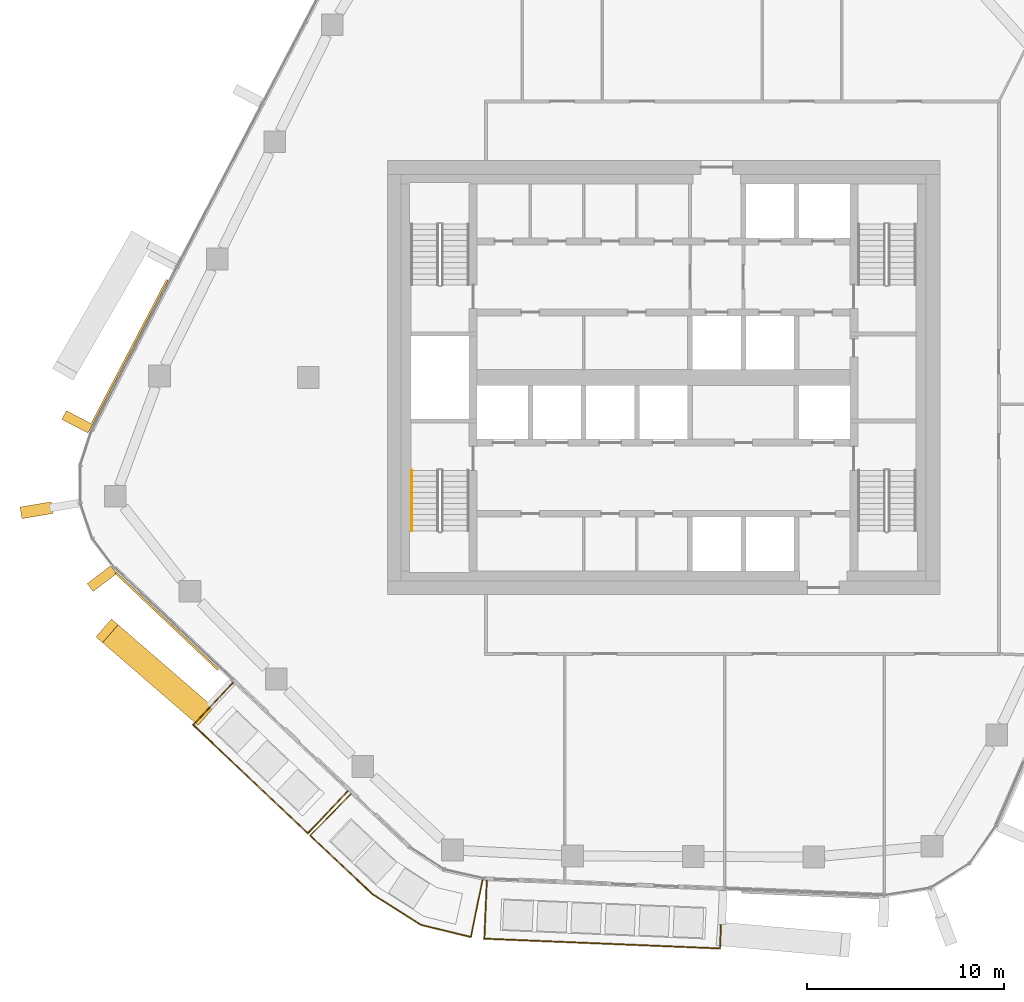
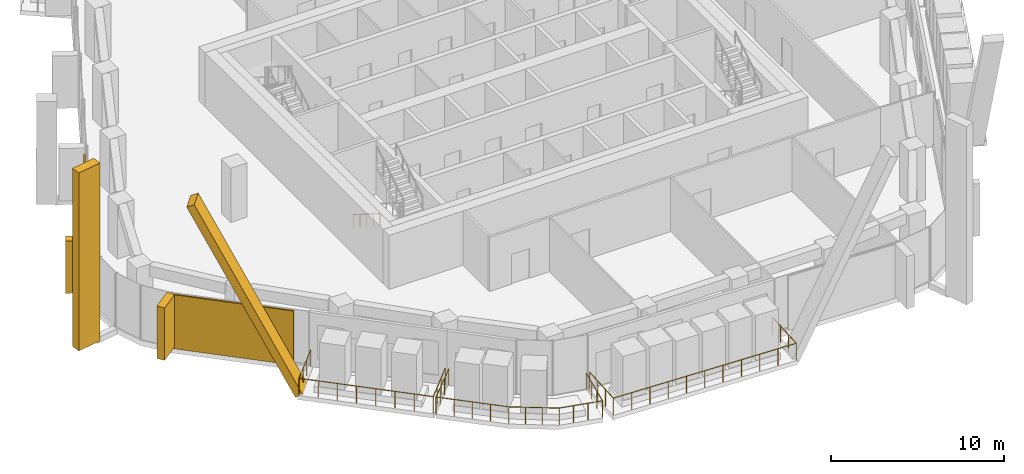
# One storey, part 15 of 20: 6 coverings, 4 railings, 3 elements without a shape of their own.
"""IFC4 building model written with IfcOpenShell, lengths in metres."""

import ifcopenshell
import ifcopenshell.guid

model = None  # the IFC model being written
_history = None  # IfcOwnerHistory: only IFC2X3 demands one
_inside = {}  # id of a spatial element -> (the spatial element, [elements in it])
_under = {}  # id of a project, library or spatial element -> (it, [spatial elements below it])
_declared = {}  # id of a project -> (the project, [libraries it declares])
_typed = {}  # id of a type object -> (the type object, [elements of that type])
_made_of = {}  # id of a material, layer set ... -> (it, [elements and type objects made of it])


def new_model(schema):
    """Start an empty IFC model of exactly this schema.

    Asked for "IFC4X3", IfcOpenShell would pick the latest addendum, in which some entities
    have other attributes; the version numbers below select the first issue.
    IFC2X3 requires an IfcOwnerHistory on every rooted entity: one is made here for all.
    """
    global model, _history
    if schema == "IFC4X3":
        model = ifcopenshell.file(schema_version=(4, 3, 0, 0))
    else:
        model = ifcopenshell.file(schema=schema)
    _inside.clear()
    _under.clear()
    _declared.clear()
    _typed.clear()
    _made_of.clear()
    _history = None
    if model.schema == "IFC2X3":
        org = make("IfcOrganization", Name="unknown")
        user = make(
            "IfcPersonAndOrganization",
            ThePerson=make("IfcPerson", FamilyName="unknown"),
            TheOrganization=org,
        )
        app = make(
            "IfcApplication",
            ApplicationDeveloper=org,
            Version="unknown",
            ApplicationFullName="unknown",
            ApplicationIdentifier="unknown",
        )
        _history = make(
            "IfcOwnerHistory",
            OwningUser=user,
            OwningApplication=app,
            ChangeAction="ADDED",
            CreationDate=0,
        )
    return model


def make(cls, **values):
    """One entity of the class cls with the attributes given. An attribute that is None is left unset."""
    return model.create_entity(
        cls, **{name: value for name, value in values.items() if value is not None}
    )


def rooted(cls, **values):
    """An entity with a GlobalId (a new one), such as an element, a storey or a relation."""
    return make(cls, GlobalId=ifcopenshell.guid.new(), OwnerHistory=_history, **values)


def si_unit(unit_type, name, prefix=None):
    """IfcSIUnit, for example si_unit("LENGTHUNIT", "METRE", prefix="MILLI")."""
    return make("IfcSIUnit", UnitType=unit_type, Prefix=prefix, Name=name)


def assignment(units):
    """IfcUnitAssignment: the units of a project."""
    return None if units is None else make("IfcUnitAssignment", Units=units)


def point(xyz):
    """IfcCartesianPoint."""
    return None if xyz is None else make("IfcCartesianPoint", Coordinates=xyz)


def direction(xyz):
    """IfcDirection."""
    return None if xyz is None else make("IfcDirection", DirectionRatios=xyz)


def frame(location, z_axis=None, x_axis=None):
    """IfcAxis2Placement3D, a coordinate frame: its origin and axes. An axis left out is left unset."""
    return make(
        "IfcAxis2Placement3D",
        Location=point(location),
        Axis=direction(z_axis),
        RefDirection=direction(x_axis),
    )


def frame_2d(location, x_axis=None):
    """IfcAxis2Placement2D, a coordinate frame in the plane: its origin and x axis."""
    return make(
        "IfcAxis2Placement2D", Location=point(location), RefDirection=direction(x_axis)
    )


def origin():
    """The frame at (0, 0, 0) with its axes left unset."""
    return frame((0.0, 0.0, 0.0))


def origin_2d():
    """The frame at (0, 0) in the plane with its x axis left unset."""
    return frame_2d((0.0, 0.0))


def place(relative_to, where):
    """IfcLocalPlacement: puts the frame where relative to a parent placement (None: the world)."""
    return make(
        "IfcLocalPlacement", PlacementRelTo=relative_to, RelativePlacement=where
    )


def context(
    kind, dimensions, precision=None, world=None, true_north=None, identifier=None
):
    """IfcGeometricRepresentationContext, for example the 3D "Model" context."""
    return make(
        "IfcGeometricRepresentationContext",
        ContextIdentifier=identifier,
        ContextType=kind,
        CoordinateSpaceDimension=dimensions,
        Precision=precision,
        WorldCoordinateSystem=world,
        TrueNorth=true_north,
    )


def subcontext(parent, identifier, kind, view, scale=None):
    """IfcGeometricRepresentationSubContext, for example "Body" below "Model"."""
    return make(
        "IfcGeometricRepresentationSubContext",
        ContextIdentifier=identifier,
        ContextType=kind,
        ParentContext=parent,
        TargetScale=scale,
        TargetView=view,
    )


def project(units=None, contexts=None):
    """IfcProject with its units and contexts."""
    return rooted(
        "IfcProject",
        Name="project",
        RepresentationContexts=contexts,
        UnitsInContext=assignment(units),
    )


def spatial(cls, under=None, at=None, **own):
    """A site, building, storey or space (cls), placed at a placement, below another one or the project."""
    s = rooted(cls, ObjectPlacement=at, **own)
    if under is not None:
        _under.setdefault(under.id(), (under, []))[1].append(s)
    return s


def profile(cls, at=None, kind="AREA", **sizes):
    """A parametric profile (cls). Its sizes go by their IFC names, for example OverallWidth=200.0."""
    return make(cls, ProfileType=kind, Position=at, **sizes)


def rectangle(**sizes):
    """IfcRectangleProfileDef."""
    return profile("IfcRectangleProfileDef", **sizes)


def circle(**sizes):
    """IfcCircleProfileDef."""
    return profile("IfcCircleProfileDef", **sizes)


def extrude(swept, where, along, depth):
    """IfcExtrudedAreaSolid: the profile swept, set in the frame where, extruded along a direction by depth."""
    return make(
        "IfcExtrudedAreaSolid",
        SweptArea=swept,
        Position=where,
        ExtrudedDirection=direction(along),
        Depth=depth,
    )


def shape(context_of_items, identifier, shape_type, items):
    """IfcShapeRepresentation: the items that make up one representation, for example the "Body"."""
    return make(
        "IfcShapeRepresentation",
        ContextOfItems=context_of_items,
        RepresentationIdentifier=identifier,
        RepresentationType=shape_type,
        Items=items,
    )


def material(Name=None, Category=None):
    """IfcMaterial."""
    return make("IfcMaterial", Name=Name, Category=Category)


def layer(
    of_material, thickness, ventilated=None, Name=None, Category=None, Priority=None
):
    """IfcMaterialLayer: one layer of a wall or slab, of a material (None: an air gap)."""
    return make(
        "IfcMaterialLayer",
        Material=of_material,
        LayerThickness=thickness,
        IsVentilated=ventilated,
        Name=Name,
        Category=Category,
        Priority=Priority,
    )


def layer_set(layers, Name=None):
    """IfcMaterialLayerSet."""
    return make("IfcMaterialLayerSet", MaterialLayers=layers, LayerSetName=Name)


def material_profile(
    of_material, cross_section, Name=None, Category=None, Priority=None
):
    """IfcMaterialProfile: a cross section and its material."""
    return make(
        "IfcMaterialProfile",
        Name=Name,
        Material=of_material,
        Profile=cross_section,
        Priority=Priority,
        Category=Category,
    )


def profile_set(profiles, Name=None, composite=None):
    """IfcMaterialProfileSet."""
    return make(
        "IfcMaterialProfileSet",
        Name=Name,
        MaterialProfiles=profiles,
        CompositeProfile=composite,
    )


def made_of(thing, what):
    """Note that an element or type object is made of a material, layer set ...; save() writes the relation."""
    if what is not None:
        _made_of.setdefault(what.id(), (what, []))[1].append(thing)
    return thing


def type_object(cls, material=None, **own):
    """A type object (cls), such as IfcWallType, which elements share."""
    return made_of(rooted(cls, **own), material)


def element(
    cls,
    number,
    at=None,
    inside=None,
    cuts=None,
    type_object=None,
    material=None,
    context=None,
    identifier="Body",
    shape_type=None,
    held_by="IfcProductDefinitionShape",
    body=None,
    shapes=None,
    **own,
):
    """One element of the class cls, such as IfcWall. Its Tag is "e" and its number.

    at: its placement. inside: the storey or other place that contains it. cuts: it is an
    opening in that element (IfcRelVoidsElement). A single representation is given by context,
    identifier, shape_type and body (its items); several are given by shapes. held_by: the class
    of the entity that holds the representations. save() writes the other relations.
    """
    e = rooted(cls, Tag="e%d" % number, ObjectPlacement=at, **own)
    if body is not None:
        shapes = [shape(context, identifier, shape_type, body)]
    if shapes is not None:
        e.Representation = make(held_by, Representations=shapes)
    if inside is not None:
        _inside.setdefault(inside.id(), (inside, []))[1].append(e)
    if cuts is not None:
        rooted(
            "IfcRelVoidsElement", RelatingBuildingElement=cuts, RelatedOpeningElement=e
        )
    if type_object is not None:
        _typed.setdefault(type_object.id(), (type_object, []))[1].append(e)
    return made_of(e, material)


def aggregate(whole, parts):
    """IfcRelAggregates: a whole, such as a stair, and the parts it consists of."""
    return rooted("IfcRelAggregates", RelatingObject=whole, RelatedObjects=parts)


def save(model, path):
    """Write the relations noted so far, then the file.

    IfcRelAggregates (storeys below a building ...), IfcRelContainedInSpatialStructure (elements
    in a storey), IfcRelDefinesByType, IfcRelAssociatesMaterial and IfcRelDeclares: one each for
    every whole, place, type object, material and project.
    """
    for whole, parts in _under.values():
        aggregate(whole, parts)
    for where, things in _inside.values():
        rooted(
            "IfcRelContainedInSpatialStructure",
            RelatedElements=things,
            RelatingStructure=where,
        )
    for kind, things in _typed.values():
        rooted("IfcRelDefinesByType", RelatedObjects=things, RelatingType=kind)
    for what, things in _made_of.values():
        rooted("IfcRelAssociatesMaterial", RelatedObjects=things, RelatingMaterial=what)
    for by, libraries in _declared.values():
        rooted("IfcRelDeclares", RelatingContext=by, RelatedDefinitions=libraries)
    model.write(path)


model = new_model("IFC4")

# Units and contexts
model_context = context("Model", 3, precision=1e-05, world=origin(), true_north=direction((0.0, 1.0)))
body_context = subcontext(model_context, "Body", "Model", "MODEL_VIEW")
ifc_project = project(units=[si_unit("LENGTHUNIT", "METRE"), si_unit("AREAUNIT", "SQUARE_METRE"), si_unit("VOLUMEUNIT", "CUBIC_METRE"), si_unit("PLANEANGLEUNIT", "RADIAN"), si_unit("MASSUNIT", "GRAM", prefix="KILO")], contexts=[model_context])

# Site, building, storey
site_placement = place(None, origin())
site = spatial("IfcSite", under=ifc_project, at=site_placement, CompositionType="ELEMENT")
building_placement = place(site_placement, origin())
building = spatial("IfcBuilding", under=site, at=building_placement, Name="Dongbaek Canopy Tower", CompositionType="ELEMENT")
storey_placement = place(building_placement, frame((0.0, 0.0, 241.199951171875)))
storey = spatial("IfcBuildingStorey", under=building, at=storey_placement, Name="L50", CompositionType="ELEMENT", Elevation=241.199951171875)

# Railings
ifc_material_1 = material(Name="Stainless steel", Category="steel")
railing_type_1 = type_object("IfcRailingType", Name="Balcony balustrade 1200", PredefinedType="BALUSTRADE", material=ifc_material_1)
railing_1_placement = place(storey_placement, frame((-21.811767578125, -15.463623046875, 0.0)))
element("IfcRailing", 1, at=railing_1_placement, inside=storey, type_object=railing_type_1, Name="Balcony guard L50 3", PredefinedType="BALUSTRADE", context=body_context, shape_type="SweptSolid", body=[
    extrude(circle(Radius=0.02392578125, at=origin_2d()), frame((0.0, 0.0, 1.17578125), z_axis=(-0.687323027636, -0.726351881447, 0.0), x_axis=(0.726351881447, -0.687323027636, 0.0)), (0.0, 0.0, 1.0), 2.93994140625),
    extrude(circle(Radius=0.02392578125, at=origin_2d()), frame((-2.020751953125, -2.135498046875, 1.17578125), z_axis=(0.72637941754, -0.687293926769, 0.0), x_axis=(0.687293926769, 0.72637941754, 0.0)), (0.0, 0.0, 1.0), 7.995361328125),
    extrude(circle(Radius=0.02392578125, at=origin_2d()), frame((3.786865234375, -7.630615234375, 1.17578125), z_axis=(0.687323027636, 0.726351881447, 0.0), x_axis=(-0.726351881447, 0.687323027636, 0.0)), (0.0, 0.0, 1.0), 2.93994140625),
    extrude(circle(Radius=0.02099609375, at=origin_2d()), origin(), (0.0, 0.0, 1.0), 1.15185546875),
    extrude(circle(Radius=0.02099609375, at=origin_2d()), frame((-0.673583984375, -0.7119140625, 0.0)), (0.0, 0.0, 1.0), 1.15185546875),
    extrude(circle(Radius=0.02099609375, at=origin_2d()), frame((-1.34716796875, -1.423583984375, 0.0)), (0.0, 0.0, 1.0), 1.15185546875),
    extrude(circle(Radius=0.02099609375, at=origin_2d()), frame((-2.020751953125, -2.135498046875, 0.0)), (0.0, 0.0, 1.0), 1.15185546875),
    extrude(circle(Radius=0.02099609375, at=origin_2d()), frame((-1.191162109375, -2.92041015625, 0.0)), (0.0, 0.0, 1.0), 1.15185546875),
    extrude(circle(Radius=0.02099609375, at=origin_2d()), frame((-0.361328125, -3.70556640625, 0.0)), (0.0, 0.0, 1.0), 1.15185546875),
    extrude(circle(Radius=0.02099609375, at=origin_2d()), frame((0.46826171875, -4.490478515625, 0.0)), (0.0, 0.0, 1.0), 1.15185546875),
    extrude(circle(Radius=0.02099609375, at=origin_2d()), frame((1.2978515625, -5.275634765625, 0.0)), (0.0, 0.0, 1.0), 1.15185546875),
    extrude(circle(Radius=0.02099609375, at=origin_2d()), frame((2.12744140625, -6.060546875, 0.0)), (0.0, 0.0, 1.0), 1.15185546875),
    extrude(circle(Radius=0.02099609375, at=origin_2d()), frame((2.957275390625, -6.845703125, 0.0)), (0.0, 0.0, 1.0), 1.15185546875),
    extrude(circle(Radius=0.02099609375, at=origin_2d()), frame((3.786865234375, -7.630615234375, 0.0)), (0.0, 0.0, 1.0), 1.15185546875),
    extrude(circle(Radius=0.02099609375, at=origin_2d()), frame((4.46044921875, -6.918701171875, 0.0)), (0.0, 0.0, 1.0), 1.15185546875),
    extrude(circle(Radius=0.02099609375, at=origin_2d()), frame((5.134033203125, -6.20703125, 0.0)), (0.0, 0.0, 1.0), 1.15185546875),
    extrude(circle(Radius=0.02099609375, at=origin_2d()), frame((5.8076171875, -5.4951171875, 0.0)), (0.0, 0.0, 1.0), 1.15185546875),
])
railing_2_placement = place(storey_placement, frame((-15.84423828125, -21.110107421875, 0.0)))
element("IfcRailing", 2, at=railing_2_placement, inside=storey, type_object=railing_type_1, Name="Balcony guard L50 8", PredefinedType="BALUSTRADE", context=body_context, shape_type="SweptSolid", body=[
    extrude(circle(Radius=0.02392578125, at=origin_2d()), frame((0.0, 0.0, 1.17578125), z_axis=(-0.702024373564, -0.712152918215, 0.0), x_axis=(0.712152918215, -0.702024373564, 0.0)), (0.0, 0.0, 1.0), 2.940673828125),
    extrude(circle(Radius=0.02392578125, at=origin_2d()), frame((-2.064453125, -2.09423828125, 1.17578125), z_axis=(0.728253075317, -0.68530829434, 0.0), x_axis=(0.68530829434, 0.728253075317, 0.0)), (0.0, 0.0, 1.0), 4.320556640625),
    extrude(circle(Radius=0.02392578125, at=origin_2d()), frame((1.08203125, -5.05517578125, 1.17578125), z_axis=(0.843678676666, -0.536848480056, 0.0), x_axis=(0.536848480056, 0.843678676666, 0.0)), (0.0, 0.0, 1.0), 2.924072265625),
    extrude(circle(Radius=0.02392578125, at=origin_2d()), frame((3.549072265625, -6.625, 1.17578125), z_axis=(0.971694868855, -0.236239458687, 0.0), x_axis=(0.236239458687, 0.971694868855, 0.0)), (0.0, 0.0, 1.0), 2.611572265625),
    extrude(circle(Radius=0.02392578125, at=origin_2d()), frame((6.086669921875, -7.241943359375, 1.17578125), z_axis=(0.198845630511, 0.980030823611, 0.0), x_axis=(-0.980030823611, 0.198845630511, 0.0)), (0.0, 0.0, 1.0), 2.940673828125),
    extrude(circle(Radius=0.02099609375, at=origin_2d()), origin(), (0.0, 0.0, 1.0), 1.15185546875),
    extrude(circle(Radius=0.02099609375, at=origin_2d()), frame((-0.688232421875, -0.697998046875, 0.0)), (0.0, 0.0, 1.0), 1.15185546875),
    extrude(circle(Radius=0.02099609375, at=origin_2d()), frame((-1.376220703125, -1.396240234375, 0.0)), (0.0, 0.0, 1.0), 1.15185546875),
    extrude(circle(Radius=0.02099609375, at=origin_2d()), frame((-2.064453125, -2.09423828125, 0.0)), (0.0, 0.0, 1.0), 1.15185546875),
    extrude(circle(Radius=0.02099609375, at=origin_2d()), frame((-1.27783203125, -2.83447265625, 0.0)), (0.0, 0.0, 1.0), 1.15185546875),
    extrude(circle(Radius=0.02099609375, at=origin_2d()), frame((-0.4912109375, -3.57470703125, 0.0)), (0.0, 0.0, 1.0), 1.15185546875),
    extrude(circle(Radius=0.02099609375, at=origin_2d()), frame((0.29541015625, -4.31494140625, 0.0)), (0.0, 0.0, 1.0), 1.15185546875),
    extrude(circle(Radius=0.02099609375, at=origin_2d()), frame((1.08203125, -5.05517578125, 0.0)), (0.0, 0.0, 1.0), 1.15185546875),
    extrude(circle(Radius=0.02099609375, at=origin_2d()), frame((1.904296875, -5.578369140625, 0.0)), (0.0, 0.0, 1.0), 1.15185546875),
    extrude(circle(Radius=0.02099609375, at=origin_2d()), frame((2.726806640625, -6.101806640625, 0.0)), (0.0, 0.0, 1.0), 1.15185546875),
    extrude(circle(Radius=0.02099609375, at=origin_2d()), frame((3.549072265625, -6.625, 0.0)), (0.0, 0.0, 1.0), 1.15185546875),
    extrude(circle(Radius=0.02099609375, at=origin_2d()), frame((4.39501953125, -6.83056640625, 0.0)), (0.0, 0.0, 1.0), 1.15185546875),
    extrude(circle(Radius=0.02099609375, at=origin_2d()), frame((5.24072265625, -7.036376953125, 0.0)), (0.0, 0.0, 1.0), 1.15185546875),
    extrude(circle(Radius=0.02099609375, at=origin_2d()), frame((6.086669921875, -7.241943359375, 0.0)), (0.0, 0.0, 1.0), 1.15185546875),
    extrude(circle(Radius=0.02099609375, at=origin_2d()), frame((6.281494140625, -6.28125, 0.0)), (0.0, 0.0, 1.0), 1.15185546875),
    extrude(circle(Radius=0.02099609375, at=origin_2d()), frame((6.4765625, -5.32080078125, 0.0)), (0.0, 0.0, 1.0), 1.15185546875),
    extrude(circle(Radius=0.02099609375, at=origin_2d()), frame((6.67138671875, -4.360107421875, 0.0)), (0.0, 0.0, 1.0), 1.15185546875),
])
railing_3_placement = place(storey_placement, frame((-8.95556640625, -25.498779296875, 0.0)))
element("IfcRailing", 3, at=railing_3_placement, inside=storey, type_object=railing_type_1, Name="Balcony guard L50 4", PredefinedType="BALUSTRADE", context=body_context, shape_type="SweptSolid", body=[
    extrude(circle(Radius=0.02392578125, at=origin_2d()), frame((0.0, 0.0, 1.17578125), z_axis=(-0.041520016303, -0.999137672319, 0.0), x_axis=(0.999137672319, -0.041520016303, 0.0)), (0.0, 0.0, 1.0), 2.93994140625),
    extrude(circle(Radius=0.02392578125, at=origin_2d()), frame((-0.1220703125, -2.9375, 1.17578125), z_axis=(0.999138729175, -0.041494576291, 0.0), x_axis=(0.041494576291, 0.999138729175, 0.0)), (0.0, 0.0, 1.0), 11.94970703125),
    extrude(circle(Radius=0.02392578125, at=origin_2d()), frame((11.8173828125, -3.433349609375, 1.17578125), z_axis=(0.041520016303, 0.999137672319, 0.0), x_axis=(-0.999137672319, 0.041520016303, 0.0)), (0.0, 0.0, 1.0), 2.93994140625),
    extrude(circle(Radius=0.02099609375, at=origin_2d()), origin(), (0.0, 0.0, 1.0), 1.15185546875),
    extrude(circle(Radius=0.02099609375, at=origin_2d()), frame((-0.040771484375, -0.979248046875, 0.0)), (0.0, 0.0, 1.0), 1.15185546875),
    extrude(circle(Radius=0.02099609375, at=origin_2d()), frame((-0.081298828125, -1.958251953125, 0.0)), (0.0, 0.0, 1.0), 1.15185546875),
    extrude(circle(Radius=0.02099609375, at=origin_2d()), frame((-0.1220703125, -2.9375, 0.0)), (0.0, 0.0, 1.0), 1.15185546875),
    extrude(circle(Radius=0.02099609375, at=origin_2d()), frame((1.07177734375, -2.987060546875, 0.0)), (0.0, 0.0, 1.0), 1.15185546875),
    extrude(circle(Radius=0.02099609375, at=origin_2d()), frame((2.265869140625, -3.03662109375, 0.0)), (0.0, 0.0, 1.0), 1.15185546875),
    extrude(circle(Radius=0.02099609375, at=origin_2d()), frame((3.459716796875, -3.086181640625, 0.0)), (0.0, 0.0, 1.0), 1.15185546875),
    extrude(circle(Radius=0.02099609375, at=origin_2d()), frame((4.65380859375, -3.1357421875, 0.0)), (0.0, 0.0, 1.0), 1.15185546875),
    extrude(circle(Radius=0.02099609375, at=origin_2d()), frame((5.84765625, -3.185546875, 0.0)), (0.0, 0.0, 1.0), 1.15185546875),
    extrude(circle(Radius=0.02099609375, at=origin_2d()), frame((7.04150390625, -3.235107421875, 0.0)), (0.0, 0.0, 1.0), 1.15185546875),
    extrude(circle(Radius=0.02099609375, at=origin_2d()), frame((8.235595703125, -3.28466796875, 0.0)), (0.0, 0.0, 1.0), 1.15185546875),
    extrude(circle(Radius=0.02099609375, at=origin_2d()), frame((9.429443359375, -3.334228515625, 0.0)), (0.0, 0.0, 1.0), 1.15185546875),
    extrude(circle(Radius=0.02099609375, at=origin_2d()), frame((10.62353515625, -3.3837890625, 0.0)), (0.0, 0.0, 1.0), 1.15185546875),
    extrude(circle(Radius=0.02099609375, at=origin_2d()), frame((11.8173828125, -3.433349609375, 0.0)), (0.0, 0.0, 1.0), 1.15185546875),
    extrude(circle(Radius=0.02099609375, at=origin_2d()), frame((11.858154296875, -2.4541015625, 0.0)), (0.0, 0.0, 1.0), 1.15185546875),
    extrude(circle(Radius=0.02099609375, at=origin_2d()), frame((11.898681640625, -1.47509765625, 0.0)), (0.0, 0.0, 1.0), 1.15185546875),
    extrude(circle(Radius=0.02099609375, at=origin_2d()), frame((11.939453125, -0.495849609375, 0.0)), (0.0, 0.0, 1.0), 1.15185546875),
])

# Curtain wall, covering
ifc_material_2 = material(Name="Aluminium 6063-T6 pale anodised", Category="aluminium")
ifc_layer_1 = layer(ifc_material_2, 0.199951171875)
ifc_layer_set_1 = layer_set([ifc_layer_1], Name="CW-1 unitised tower curtain wall")
curtain_wall_type = type_object("IfcCurtainWallType", Name="CW-1 unitised tower curtain wall", PredefinedType="NOTDEFINED", material=ifc_layer_set_1)
curtain_wall_1_placement = place(storey_placement, origin())
curtain_wall_1 = element("IfcCurtainWall", 4, at=curtain_wall_1_placement, inside=storey, type_object=curtain_wall_type, Name="CW-1 curtain wall K3.1", PredefinedType="NOTDEFINED")
ifc_material_3 = material(Name="Aluminium 6063-T6 pale metal fin", Category="aluminium")
ifc_material_profile_1 = material_profile(ifc_material_3, rectangle(XDim=1.60009765625, YDim=0.60009765625, at=origin_2d()), Name="Corner fin CN1 600 x 1600 pale metal")
ifc_profile_set_1 = profile_set([ifc_material_profile_1], Name="Aluminium 6063-T6 pale metal fin")
covering_type_1 = type_object("IfcCoveringType", Name="Corner fin CN1 600 x 1600 pale metal", PredefinedType="CLADDING", material=ifc_profile_set_1)
covering_1_placement = place(storey_placement, frame((-31.77392578125, -6.7255859375, -0.18994140625), z_axis=(0.0, 0.0, 1.0), x_axis=(-0.986343153931, -0.16470331719, 0.0)))
covering_1 = element("IfcCovering", 5, at=covering_1_placement, type_object=covering_type_1, Name="Corner fin L50 L52 K3", PredefinedType="CLADDING", context=body_context, shape_type="SweptSolid", body=[
    extrude(rectangle(XDim=1.60009765625, YDim=0.60009765625, at=origin_2d()), origin(), (0.0, 0.0, 1.0), 12.580078125),
])

curtain_wall_2_placement = place(storey_placement, origin())
curtain_wall_2 = element("IfcCurtainWall", 6, at=curtain_wall_2_placement, inside=storey, type_object=curtain_wall_type, Name="CW-1 curtain wall F3.1", PredefinedType="NOTDEFINED")
ifc_material_4 = material(Name="Aluminium 6063-T6 pale metal fin", Category="aluminium")
ifc_material_profile_2 = material_profile(ifc_material_4, rectangle(XDim=1.199951171875, YDim=0.5, at=origin_2d()), Name="Crease fin CF1 500 x 1200 pale metal")
ifc_profile_set_2 = profile_set([ifc_material_profile_2], Name="Aluminium 6063-T6 pale metal fin")
covering_type_2 = type_object("IfcCoveringType", Name="Crease fin CF1 500 x 1200 pale metal", PredefinedType="CLADDING", material=ifc_profile_set_2)
covering_2_placement = place(storey_placement, frame((-23.360107421875, -17.024658203125, -0.18994140625), z_axis=(-0.342662904841, 0.296440204299, 0.891462471965), x_axis=(-0.65425684691, -0.756272423318, 0.0)))
covering_2 = element("IfcCovering", 7, at=covering_2_placement, type_object=covering_type_2, Name="Crease fin L50 L53 F3", PredefinedType="CLADDING", context=body_context, shape_type="SweptSolid", body=[
    extrude(rectangle(XDim=1.199951171875, YDim=0.5, at=origin_2d()), origin(), (0.0, 0.0, 1.0), 14.13427734375),
])

curtain_wall_3_placement = place(storey_placement, origin())
curtain_wall_3 = element("IfcCurtainWall", 8, at=curtain_wall_3_placement, inside=storey, type_object=curtain_wall_type, Name="CW-1 curtain wall F2.1", PredefinedType="NOTDEFINED")
ifc_material_5 = material(Name="Perforated aluminium 6063-T6 pale metal screen", Category="aluminium")
ifc_layer_2 = layer(ifc_material_5, 0.10009765625)
ifc_layer_set_2 = layer_set([ifc_layer_2], Name="Facet screen FS1 100 pale metal")
covering_type_3 = type_object("IfcCoveringType", Name="Facet screen FS1 100 pale metal", PredefinedType="CLADDING", material=ifc_layer_set_2)
covering_3_placement = place(storey_placement, frame((-27.053466796875, 1.31591796875, 0.0), z_axis=(0.0, 0.0, 1.0), x_axis=(-0.463648649911, -0.88601914733, 0.0)))
covering_3 = element("IfcCovering", 9, at=covering_3_placement, type_object=covering_type_3, Name="Facet screen L50 F2", PredefinedType="CLADDING", context=body_context, shape_type="SweptSolid", body=[
    extrude(rectangle(XDim=8.197998046875, YDim=0.10009765625, at=origin_2d()), origin(), (0.0, 0.0, 1.0), 3.820068359375),
])

# Covering
covering_4_placement = place(storey_placement, frame((-25.172607421875, -12.3466796875, 0.0), z_axis=(0.0, 0.0, 1.0), x_axis=(0.726369576453, -0.687304327357, 0.0)))
covering_4 = element("IfcCovering", 10, at=covering_4_placement, type_object=covering_type_3, Name="Facet screen L50 F3", PredefinedType="CLADDING", context=body_context, shape_type="SweptSolid", body=[
    extrude(rectangle(XDim=7.162109375, YDim=0.10009765625, at=origin_2d()), origin(), (0.0, 0.0, 1.0), 3.820068359375),
])

aggregate(curtain_wall_2, [covering_2, covering_4])

ifc_material_6 = material(Name="Aluminium 6063-T6 pale metal fin", Category="aluminium")
ifc_material_profile_3 = material_profile(ifc_material_6, rectangle(XDim=1.5, YDim=0.5, at=origin_2d()), Name="Fin FN1 500 x 1500 pale metal")
ifc_profile_set_3 = profile_set([ifc_material_profile_3], Name="Aluminium 6063-T6 pale metal fin")
covering_type_4 = type_object("IfcCoveringType", Name="Fin FN1 500 x 1500 pale metal", PredefinedType="CLADDING", material=ifc_profile_set_3)
covering_5_placement = place(storey_placement, frame((-29.712158203125, -2.246337890625, 0.1201171875), z_axis=(0.0, 0.0, 1.0), x_axis=(-0.886019109709, 0.463648721803, 0.0)))
covering_5 = element("IfcCovering", 11, at=covering_5_placement, type_object=covering_type_4, Name="Fin F2.1.7", PredefinedType="CLADDING", context=body_context, shape_type="SweptSolid", body=[
    extrude(rectangle(XDim=1.5, YDim=0.5, at=origin_2d()), origin(), (0.0, 0.0, 1.0), 3.699951171875),
])

aggregate(curtain_wall_3, [covering_5, covering_3])

covering_6_placement = place(storey_placement, frame((-28.46044921875, -10.189453125, 0.1201171875), z_axis=(0.0, 0.0, 1.0), x_axis=(-0.795397919328, -0.606087576122, 0.0)))
covering_6 = element("IfcCovering", 12, at=covering_6_placement, type_object=covering_type_4, Name="Fin K3.1.5", PredefinedType="CLADDING", context=body_context, shape_type="SweptSolid", body=[
    extrude(rectangle(XDim=1.5, YDim=0.5, at=origin_2d()), origin(), (0.0, 0.0, 1.0), 3.699951171875),
])

aggregate(curtain_wall_1, [covering_6, covering_1])

# Railing
ifc_material_7 = material(Name="Stainless steel tube", Category="steel")
railing_type_2 = type_object("IfcRailingType", Name="Stair handrail 900", PredefinedType="HANDRAIL", material=ifc_material_7)
railing_4_placement = place(storey_placement, frame((-12.75, -4.699951171875, 0.175048828125)))
element("IfcRailing", 13, at=railing_4_placement, inside=storey, type_object=railing_type_2, Name="L50 ST-D stair handrail 1", PredefinedType="HANDRAIL", context=body_context, shape_type="SweptSolid", body=[
    extrude(circle(Radius=0.02392578125, at=origin_2d()), frame((0.0, 0.0, 0.8759765625), z_axis=(0.0, -0.847998304005, 0.529998940003), x_axis=(1.0, 0.0, 0.0)), (0.0, 0.0, 1.0), 3.632080078125),
    extrude(circle(Radius=0.02099609375, at=origin_2d()), origin(), (0.0, 0.0, 1.0), 0.851806640625),
    extrude(circle(Radius=0.02099609375, at=origin_2d()), frame((0.0, -0.77001953125, 0.481201171875)), (0.0, 0.0, 1.0), 0.851806640625),
    extrude(circle(Radius=0.02099609375, at=origin_2d()), frame((0.0, -1.5400390625, 0.96240234375)), (0.0, 0.0, 1.0), 0.851806640625),
    extrude(circle(Radius=0.02099609375, at=origin_2d()), frame((0.0, -2.31005859375, 1.44384765625)), (0.0, 0.0, 1.0), 0.851806640625),
    extrude(circle(Radius=0.02099609375, at=origin_2d()), frame((0.0, -3.080078125, 1.925048828125)), (0.0, 0.0, 1.0), 0.851806640625),
])

save(model, "model.ifc")
